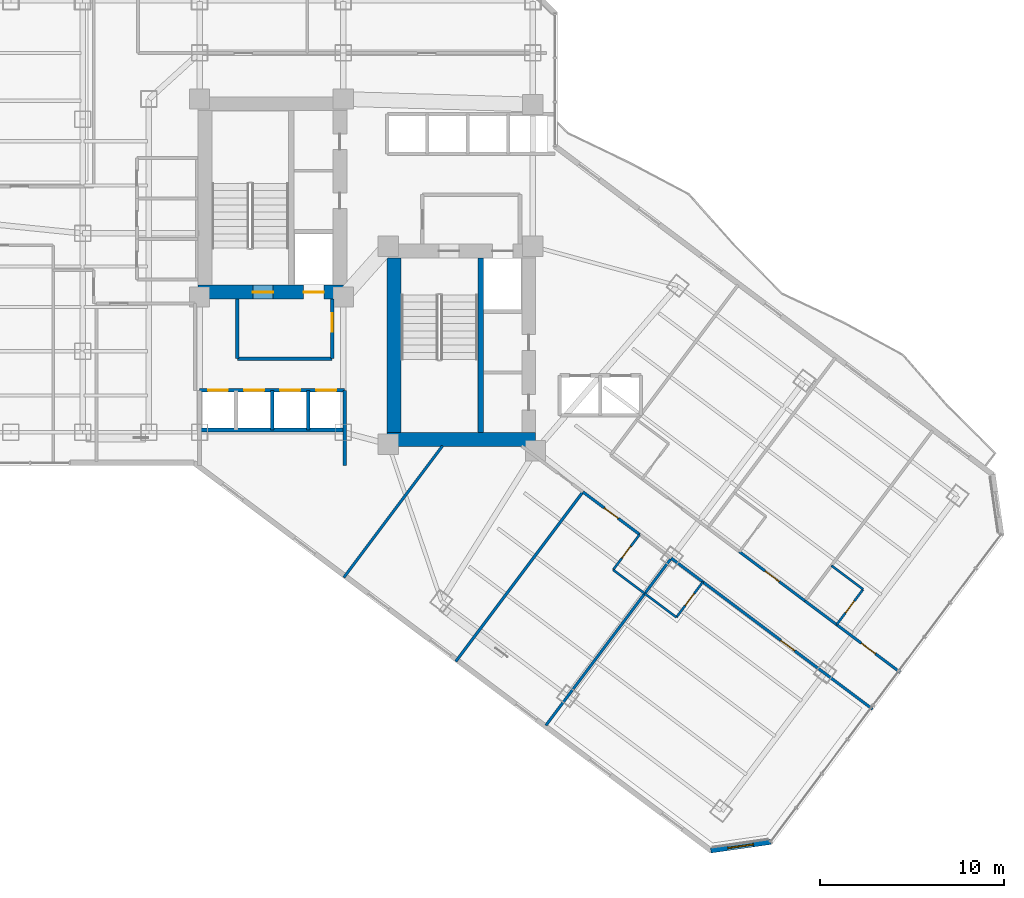
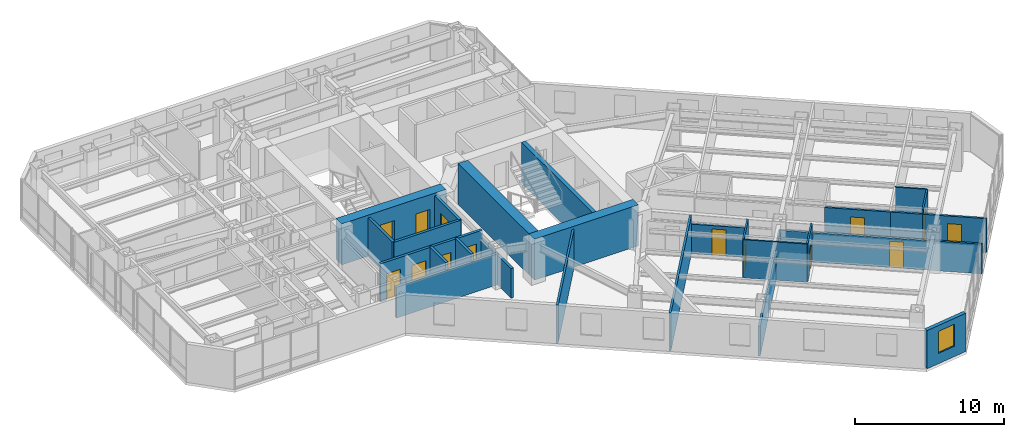
# One storey, part 24 of 31: 28 walls, 14 doors, 1 window, 15 openings.
"""IFC4 building model written with IfcOpenShell, lengths in metres."""

from ifc_helpers import new_model, si_unit, direction, frame, frame_2d, origin, place, context, subcontext, project, spatial, rectangle, extrude, material, layer, layer_set, type_object, element, fill, save


model = new_model("IFC4")

# Units and contexts
model_context = context("Model", 3, precision=1e-05, world=origin(), true_north=direction((0.0, 1.0)))
body_context = subcontext(model_context, "Body", "Model", "MODEL_VIEW")
ifc_project = project(units=[si_unit("LENGTHUNIT", "METRE"), si_unit("AREAUNIT", "SQUARE_METRE"), si_unit("VOLUMEUNIT", "CUBIC_METRE"), si_unit("PLANEANGLEUNIT", "RADIAN"), si_unit("MASSUNIT", "GRAM", prefix="KILO")], contexts=[model_context])

# Site, building, storey
site_placement = place(None, origin())
site = spatial("IfcSite", under=ifc_project, at=site_placement, CompositionType="ELEMENT")
building_placement = place(site_placement, origin())
building = spatial("IfcBuilding", under=site, at=building_placement, Name="Hatsunagi Terrace Concourse", CompositionType="ELEMENT")
storey_placement = place(building_placement, frame((0.0, 0.0, 77.949951171875)))
storey = spatial("IfcBuildingStorey", under=building, at=storey_placement, Name="L20", CompositionType="ELEMENT", Elevation=77.949951171875)

# Wall, openings, doors
ifc_material_1 = material(Name="Concrete Fc60", Category="concrete")
ifc_layer_1 = layer(ifc_material_1, 0.75)
ifc_layer_set_1 = layer_set([ifc_layer_1], Name="CoreShearWall_Fc60_750")
wall_type_1 = type_object("IfcWallType", Name="CoreShearWall_Fc60_750", PredefinedType="SHEAR", material=ifc_layer_set_1)
wall_1_placement = place(storey_placement, frame((25.469970703125, 32.81494140625, 0.0), z_axis=(0.0, 0.0, 1.0), x_axis=(1.0, 0.0, 0.0)))
wall_1 = element("IfcWall", 1, at=wall_1_placement, inside=storey, type_object=wall_type_1, Name="Core A Shear Wall S L20", PredefinedType="SHEAR", context=body_context, shape_type="SweptSolid", body=[
    extrude(rectangle(XDim=8.080078125, YDim=0.75, at=frame_2d((4.0400390625, 0.0))), origin(), (0.0, 0.0, 1.0), 3.35009765625),
])
opening_1_placement = place(wall_1_placement, frame((2.97998046875, 0.0, 0.0)))
opening_1 = element("IfcOpeningElement", 2, at=opening_1_placement, cuts=wall_1, Name="Opening DR-110S", PredefinedType="OPENING", context=body_context, shape_type="SweptSolid", body=[
    extrude(rectangle(XDim=1.10009765625, YDim=2.199951171875, at=frame_2d((0.550048828125, 1.10009765625))), frame((0.0, 0.385009765625, 0.0), z_axis=(0.0, -1.0, 0.0), x_axis=(1.0, 0.0, 0.0)), (0.0, 0.0, 1.0), 0.77001953125),
])
opening_2_placement = place(wall_1_placement, frame((5.72998046875, 0.0, 0.0)))
opening_2 = element("IfcOpeningElement", 3, at=opening_2_placement, cuts=wall_1, Name="Opening LD-01", PredefinedType="OPENING", context=body_context, shape_type="SweptSolid", body=[
    extrude(rectangle(XDim=1.10009765625, YDim=2.14990234375, at=frame_2d((0.550048828125, 1.074951171875))), frame((0.0, 0.385009765625, 0.0), z_axis=(0.0, -1.0, 0.0), x_axis=(1.0, 0.0, 0.0)), (0.0, 0.0, 1.0), 0.77001953125),
])
ifc_material_2 = material(Name="Stainless steel", Category="steel")
door_type_1 = type_object("IfcDoorType", Name="LiftLandingDoor_LD01", OperationType="SLIDING_TO_LEFT", PredefinedType="USERDEFINED", material=ifc_material_2)
door_1_placement = place(opening_2_placement, origin())
door_1 = element("IfcDoor", 4, at=door_1_placement, inside=storey, type_object=door_type_1, Name="Lift landing door FF-01 L20", ObjectType="SLIDING_LANDING_DOOR", OperationType="SLIDING_TO_LEFT", OverallHeight=2.14990234375, OverallWidth=1.10009765625, PredefinedType="USERDEFINED", context=body_context, shape_type="SweptSolid", body=[
    extrude(rectangle(XDim=1.10009765625, YDim=2.14990234375, at=frame_2d((0.550048828125, 1.074951171875))), frame((0.0, 0.02490234375, 0.0), z_axis=(0.0, -1.0, 0.0), x_axis=(1.0, 0.0, 0.0)), (0.0, 0.0, 1.0), 0.050048828125),
])
fill(opening_2, door_1)
ifc_material_3 = material(Name="Painted steel", Category="steel")
door_type_2 = type_object("IfcDoorType", Name="StairFireDoor_EI60_1100", OperationType="NOTDEFINED", PredefinedType="DOOR", material=ifc_material_3)
door_2_placement = place(opening_1_placement, origin())
door_2 = element("IfcDoor", 5, at=door_2_placement, inside=storey, type_object=door_type_2, Name="Stair ST-A Exit Door L20", OperationType="SINGLE_SWING_LEFT", OverallHeight=2.199951171875, OverallWidth=1.10009765625, PredefinedType="DOOR", context=body_context, shape_type="SweptSolid", body=[
    extrude(rectangle(XDim=1.10009765625, YDim=2.199951171875, at=frame_2d((0.550048828125, 1.10009765625))), frame((0.0, 0.02490234375, 0.0), z_axis=(0.0, -1.0, 0.0), x_axis=(1.0, 0.0, 0.0)), (0.0, 0.0, 1.0), 0.050048828125),
])
fill(opening_1, door_2)

# Walls
wall_2_placement = place(storey_placement, frame((35.739990234375, 24.81494140625, 0.0), z_axis=(0.0, 0.0, 1.0), x_axis=(1.0, 0.0, 0.0)))
element("IfcWall", 6, at=wall_2_placement, inside=storey, type_object=wall_type_1, Name="Core B Shear Wall S L20", PredefinedType="SHEAR", context=body_context, shape_type="SweptSolid", body=[
    extrude(rectangle(XDim=8.06005859375, YDim=0.75, at=frame_2d((4.030029296875, 0.0))), origin(), (0.0, 0.0, 1.0), 3.35009765625),
])
wall_3_placement = place(storey_placement, frame((36.114990234375, 25.18994140625, 0.0), z_axis=(0.0, 0.0, 1.0), x_axis=(0.0, 1.0, 0.0)))
element("IfcWall", 7, at=wall_3_placement, inside=storey, type_object=wall_type_1, Name="Core B Shear Wall W L20", PredefinedType="SHEAR", context=body_context, shape_type="SweptSolid", body=[
    extrude(rectangle(XDim=9.47998046875, YDim=0.75, at=frame_2d((4.739990234375, 0.0))), origin(), (0.0, 0.0, 1.0), 3.35009765625),
])
ifc_material_4 = material(Name="Concrete Fc48", Category="concrete")
ifc_layer_2 = layer(ifc_material_4, 0.300048828125)
ifc_layer_set_2 = layer_set([ifc_layer_2], Name="CoreStairDivider_Fc48_300")
wall_type_2 = type_object("IfcWallType", Name="CoreStairDivider_Fc48_300", PredefinedType="SHEAR", material=ifc_layer_set_2)
wall_4_placement = place(storey_placement, frame((40.81005859375, 25.18994140625, 0.0), z_axis=(0.0, 0.0, 1.0), x_axis=(0.0, 1.0, 0.0)))
element("IfcWall", 8, at=wall_4_placement, inside=storey, type_object=wall_type_2, Name="Core B Shear Wall D L20", PredefinedType="SHEAR", context=body_context, shape_type="SweptSolid", body=[
    extrude(rectangle(XDim=9.47998046875, YDim=0.300048828125, at=frame_2d((4.739990234375, 0.0))), origin(), (0.0, 0.0, 1.0), 3.35009765625),
])

# Wall, opening, door
ifc_material_5 = material(Name="Acoustic mineral board", Category="gypsum")
ifc_layer_3 = layer(ifc_material_5, 0.1201171875)
ifc_layer_set_3 = layer_set([ifc_layer_3], Name="PartitionWall_EI30_120")
wall_type_3 = type_object("IfcWallType", Name="PartitionWall_EI30_120", PredefinedType="PARTITIONING", material=ifc_layer_set_3)
wall_5_placement = place(storey_placement, frame((60.14990234375, 14.75, 0.0), z_axis=(0.0, 0.0, 1.0), x_axis=(0.600065100855, 0.79995117022, 0.0)))
wall_5 = element("IfcWall", 9, at=wall_5_placement, inside=storey, type_object=wall_type_3, Name="Interior Partition IW-L20-072", PredefinedType="PARTITIONING", context=body_context, shape_type="SweptSolid", body=[
    extrude(rectangle(XDim=2.400146484375, YDim=0.1201171875, at=frame_2d((1.2001953125, 0.0))), origin(), (0.0, 0.0, 1.0), 3.130126953125),
])
opening_3_placement = place(wall_5_placement, frame((0.800048828125, 0.0, 0.0)))
opening_3 = element("IfcOpeningElement", 10, at=opening_3_placement, cuts=wall_5, Name="Opening DR-080", PredefinedType="OPENING", context=body_context, shape_type="SweptSolid", body=[
    extrude(rectangle(XDim=0.800048828125, YDim=2.06005859375, at=frame_2d((0.39990234375, 1.030029296875))), frame((0.0, 0.070068359375, 0.0), z_axis=(0.0, -1.0, 0.0), x_axis=(1.0, 0.0, 0.0)), (0.0, 0.0, 1.0), 0.14013671875),
])
ifc_material_6 = material(Name="Hardwood timber", Category="wood")
door_type_3 = type_object("IfcDoorType", Name="BathroomDoor_800", OperationType="NOTDEFINED", PredefinedType="DOOR", material=ifc_material_6)
door_3_placement = place(opening_3_placement, origin())
door_3 = element("IfcDoor", 11, at=door_3_placement, inside=storey, type_object=door_type_3, Name="En-Suite Bathroom L20-SENE3 Door", OperationType="SINGLE_SWING_LEFT", OverallHeight=2.06005859375, OverallWidth=0.800048828125, PredefinedType="DOOR", context=body_context, shape_type="SweptSolid", body=[
    extrude(rectangle(XDim=0.800048828125, YDim=2.06005859375, at=frame_2d((0.39990234375, 1.030029296875))), frame((0.0, 0.02490234375, 0.0), z_axis=(0.0, -1.0, 0.0), x_axis=(1.0, 0.0, 0.0)), (0.0, 0.0, 1.0), 0.050048828125),
])
fill(opening_3, door_3)

# Wall
wall_6_placement = place(storey_placement, frame((59.8701171875, 17.9599609375, 0.0), z_axis=(0.0, 0.0, 1.0), x_axis=(0.79998637334, -0.60001816845, 0.0)))
element("IfcWall", 12, at=wall_6_placement, inside=storey, type_object=wall_type_3, Name="Interior Partition IW-L20-073", PredefinedType="PARTITIONING", context=body_context, shape_type="SweptSolid", body=[
    extrude(rectangle(XDim=2.14990234375, YDim=0.1201171875, at=frame_2d((1.074951171875, 0.0))), origin(), (0.0, 0.0, 1.0), 3.130126953125),
])

# Wall, opening, door
wall_7_placement = place(storey_placement, frame((48.010009765625, 17.72998046875, 0.0), z_axis=(0.0, 0.0, 1.0), x_axis=(0.6, 0.8, 0.0)))
wall_7 = element("IfcWall", 13, at=wall_7_placement, inside=storey, type_object=wall_type_3, Name="Interior Partition IW-L20-076", PredefinedType="PARTITIONING", context=body_context, shape_type="SweptSolid", body=[
    extrude(rectangle(XDim=2.39990234375, YDim=0.1201171875, at=frame_2d((1.199951171875, 0.0))), origin(), (0.0, 0.0, 1.0), 3.130126953125),
])
opening_4_placement = place(wall_7_placement, frame((0.800048828125, 0.0, 0.0)))
opening_4 = element("IfcOpeningElement", 14, at=opening_4_placement, cuts=wall_7, Name="Opening DR-080", PredefinedType="OPENING", context=body_context, shape_type="SweptSolid", body=[
    extrude(rectangle(XDim=0.800048828125, YDim=2.06005859375, at=frame_2d((0.39990234375, 1.030029296875))), frame((0.0, 0.070068359375, 0.0), z_axis=(0.0, -1.0, 0.0), x_axis=(1.0, 0.0, 0.0)), (0.0, 0.0, 1.0), 0.14013671875),
])
door_4_placement = place(opening_4_placement, origin())
door_4 = element("IfcDoor", 15, at=door_4_placement, inside=storey, type_object=door_type_3, Name="En-Suite Bathroom L20-SESW1 Door", OperationType="SINGLE_SWING_LEFT", OverallHeight=2.06005859375, OverallWidth=0.800048828125, PredefinedType="DOOR", context=body_context, shape_type="SweptSolid", body=[
    extrude(rectangle(XDim=0.800048828125, YDim=2.06005859375, at=frame_2d((0.39990234375, 1.030029296875))), frame((0.0, 0.02490234375, 0.0), z_axis=(0.0, -1.0, 0.0), x_axis=(1.0, 0.0, 0.0)), (0.0, 0.0, 1.0), 0.050048828125),
])
fill(opening_4, door_4)

# Wall
wall_8_placement = place(storey_placement, frame((48.010009765625, 17.72998046875, 0.0), z_axis=(0.0, 0.0, 1.0), x_axis=(0.79998637334, -0.60001816845, 0.0)))
element("IfcWall", 16, at=wall_8_placement, inside=storey, type_object=wall_type_3, Name="Interior Partition IW-L20-077", PredefinedType="PARTITIONING", context=body_context, shape_type="SweptSolid", body=[
    extrude(rectangle(XDim=2.14990234375, YDim=0.1201171875, at=frame_2d((1.074951171875, 0.0))), origin(), (0.0, 0.0, 1.0), 3.130126953125),
])

# Wall, opening, door
wall_9_placement = place(storey_placement, frame((51.449951171875, 15.14990234375, 0.0), z_axis=(0.0, 0.0, 1.0), x_axis=(0.599951172744, 0.800036618114, 0.0)))
wall_9 = element("IfcWall", 17, at=wall_9_placement, inside=storey, type_object=wall_type_3, Name="Interior Partition IW-L20-081", PredefinedType="PARTITIONING", context=body_context, shape_type="SweptSolid", body=[
    extrude(rectangle(XDim=2.400146484375, YDim=0.1201171875, at=frame_2d((1.2001953125, 0.0))), origin(), (0.0, 0.0, 1.0), 3.130126953125),
])
opening_5_placement = place(wall_9_placement, frame((0.800048828125, 0.0, 0.0)))
opening_5 = element("IfcOpeningElement", 18, at=opening_5_placement, cuts=wall_9, Name="Opening DR-080", PredefinedType="OPENING", context=body_context, shape_type="SweptSolid", body=[
    extrude(rectangle(XDim=0.800048828125, YDim=2.06005859375, at=frame_2d((0.39990234375, 1.030029296875))), frame((0.0, 0.070068359375, 0.0), z_axis=(0.0, -1.0, 0.0), x_axis=(1.0, 0.0, 0.0)), (0.0, 0.0, 1.0), 0.14013671875),
])
door_5_placement = place(opening_5_placement, origin())
door_5 = element("IfcDoor", 19, at=door_5_placement, inside=storey, type_object=door_type_3, Name="En-Suite Bathroom L20-SESW2 Door", OperationType="SINGLE_SWING_RIGHT", OverallHeight=2.06005859375, OverallWidth=0.800048828125, PredefinedType="DOOR", context=body_context, shape_type="SweptSolid", body=[
    extrude(rectangle(XDim=0.800048828125, YDim=2.06005859375, at=frame_2d((0.39990234375, 1.030029296875))), frame((0.0, 0.02490234375, 0.0), z_axis=(0.0, -1.0, 0.0), x_axis=(1.0, 0.0, 0.0)), (0.0, 0.0, 1.0), 0.050048828125),
])
fill(opening_5, door_5)

# Walls
wall_10_placement = place(storey_placement, frame((49.72998046875, 16.43994140625, 0.0), z_axis=(0.0, 0.0, 1.0), x_axis=(0.79998637334, -0.60001816845, 0.0)))
element("IfcWall", 20, at=wall_10_placement, inside=storey, type_object=wall_type_3, Name="Interior Partition IW-L20-082", PredefinedType="PARTITIONING", context=body_context, shape_type="SweptSolid", body=[
    extrude(rectangle(XDim=2.14990234375, YDim=0.1201171875, at=frame_2d((1.074951171875, 0.0))), origin(), (0.0, 0.0, 1.0), 3.130126953125),
])
ifc_material_7 = material(Name="Acoustic mineral board", Category="gypsum")
ifc_layer_4 = layer(ifc_material_7, 0.14990234375)
ifc_layer_set_4 = layer_set([ifc_layer_4], Name="PartitionWall_EI60_150")
wall_type_4 = type_object("IfcWallType", Name="PartitionWall_EI60_150", PredefinedType="PARTITIONING", material=ifc_layer_set_4)
wall_11_placement = place(storey_placement, frame((33.384033203125, 17.31201171875, 0.0), z_axis=(0.0, 0.0, 1.0), x_axis=(0.600008743659, 0.799993442181, 0.0)))
element("IfcWall", 21, at=wall_11_placement, inside=storey, type_object=wall_type_4, Name="Interior Partition IW-L20-042", PredefinedType="PARTITIONING", context=body_context, shape_type="SweptSolid", body=[
    extrude(rectangle(XDim=8.93505859375, YDim=0.14990234375, at=frame_2d((4.467529296875, 0.0))), origin(), (0.0, 0.0, 1.0), 3.130126953125),
])
wall_12_placement = place(storey_placement, frame((39.464111328125, 12.751953125, 0.0), z_axis=(0.0, 0.0, 1.0), x_axis=(0.6, 0.8, 0.0)))
element("IfcWall", 22, at=wall_12_placement, inside=storey, type_object=wall_type_4, Name="Interior Partition IW-L20-043", PredefinedType="PARTITIONING", context=body_context, shape_type="SweptSolid", body=[
    extrude(rectangle(XDim=11.510009765625, YDim=0.14990234375, at=frame_2d((5.7548828125, 0.0))), origin(), (0.0, 0.0, 1.0), 3.130126953125),
])

# Wall, opening, door
wall_13_placement = place(storey_placement, frame((54.8701171875, 18.7099609375, 0.0), z_axis=(0.0, 0.0, 1.0), x_axis=(0.799993416095, -0.600008778439, 0.0)))
wall_13 = element("IfcWall", 23, at=wall_13_placement, inside=storey, type_object=wall_type_4, Name="Interior Partition IW-L20-066", PredefinedType="PARTITIONING", context=body_context, shape_type="SweptSolid", body=[
    extrude(rectangle(XDim=4.44970703125, YDim=0.14990234375, at=frame_2d((2.224853515625, 0.0))), origin(), (0.0, 0.0, 1.0), 2.775146484375),
])
opening_6_placement = place(wall_13_placement, frame((1.75, 0.0, 0.0)))
opening_6 = element("IfcOpeningElement", 24, at=opening_6_placement, cuts=wall_13, Name="Opening DR-095", PredefinedType="OPENING", context=body_context, shape_type="SweptSolid", body=[
    extrude(rectangle(XDim=0.949951171875, YDim=2.14990234375, at=frame_2d((0.47509765625, 1.074951171875))), frame((0.0, 0.0849609375, 0.0), z_axis=(0.0, -1.0, 0.0), x_axis=(1.0, 0.0, 0.0)), (0.0, 0.0, 1.0), 0.169921875),
])
ifc_material_8 = material(Name="Hardwood timber", Category="wood")
door_type_4 = type_object("IfcDoorType", Name="InteriorSuiteDoor_EI30_950", OperationType="NOTDEFINED", PredefinedType="DOOR", material=ifc_material_8)
door_6_placement = place(opening_6_placement, origin())
door_6 = element("IfcDoor", 25, at=door_6_placement, inside=storey, type_object=door_type_4, Name="Hotel Guest Room L20-SENE2 Door", OperationType="SINGLE_SWING_LEFT", OverallHeight=2.14990234375, OverallWidth=0.949951171875, PredefinedType="DOOR", context=body_context, shape_type="SweptSolid", body=[
    extrude(rectangle(XDim=0.949951171875, YDim=2.14990234375, at=frame_2d((0.47509765625, 1.074951171875))), frame((0.0, 0.02490234375, 0.0), z_axis=(0.0, -1.0, 0.0), x_axis=(1.0, 0.0, 0.0)), (0.0, 0.0, 1.0), 0.050048828125),
])
fill(opening_6, door_6)

# Wall
wall_14_placement = place(storey_placement, frame((58.429931640625, 16.0400390625, 0.0), z_axis=(0.0, 0.0, 1.0), x_axis=(0.79998637334, -0.60001816845, 0.0)))
element("IfcWall", 26, at=wall_14_placement, inside=storey, type_object=wall_type_4, Name="Interior Partition IW-L20-070", PredefinedType="PARTITIONING", context=body_context, shape_type="SweptSolid", body=[
    extrude(rectangle(XDim=2.14990234375, YDim=0.14990234375, at=frame_2d((1.074951171875, 0.0))), origin(), (0.0, 0.0, 1.0), 2.775146484375),
])

# Wall, opening, door
wall_15_placement = place(storey_placement, frame((60.14990234375, 14.75, 0.0), z_axis=(0.0, 0.0, 1.0), x_axis=(0.800006797429, -0.599990936654, 0.0)))
wall_15 = element("IfcWall", 27, at=wall_15_placement, inside=storey, type_object=wall_type_4, Name="Interior Partition IW-L20-071", PredefinedType="PARTITIONING", context=body_context, shape_type="SweptSolid", body=[
    extrude(rectangle(XDim=4.31005859375, YDim=0.14990234375, at=frame_2d((2.155029296875, 0.0))), origin(), (0.0, 0.0, 1.0), 2.775146484375),
])
opening_7_placement = place(wall_15_placement, frame((1.679931640625, 0.0, 0.0)))
opening_7 = element("IfcOpeningElement", 28, at=opening_7_placement, cuts=wall_15, Name="Opening DR-095", PredefinedType="OPENING", context=body_context, shape_type="SweptSolid", body=[
    extrude(rectangle(XDim=0.949951171875, YDim=2.14990234375, at=frame_2d((0.47509765625, 1.074951171875))), frame((0.0, 0.0849609375, 0.0), z_axis=(0.0, -1.0, 0.0), x_axis=(1.0, 0.0, 0.0)), (0.0, 0.0, 1.0), 0.169921875),
])
door_7_placement = place(opening_7_placement, origin())
door_7 = element("IfcDoor", 29, at=door_7_placement, inside=storey, type_object=door_type_4, Name="Hotel Guest Room L20-SENE3 Door", OperationType="SINGLE_SWING_LEFT", OverallHeight=2.14990234375, OverallWidth=0.949951171875, PredefinedType="DOOR", context=body_context, shape_type="SweptSolid", body=[
    extrude(rectangle(XDim=0.949951171875, YDim=2.14990234375, at=frame_2d((0.47509765625, 1.074951171875))), frame((0.0, 0.02490234375, 0.0), z_axis=(0.0, -1.0, 0.0), x_axis=(1.0, 0.0, 0.0)), (0.0, 0.0, 1.0), 0.050048828125),
])
fill(opening_7, door_7)

wall_16_placement = place(storey_placement, frame((46.3701171875, 21.9599609375, 0.0), z_axis=(0.0, 0.0, 1.0), x_axis=(0.799977170108, -0.600030438649, 0.0)))
wall_16 = element("IfcWall", 30, at=wall_16_placement, inside=storey, type_object=wall_type_4, Name="Interior Partition IW-L20-074", PredefinedType="PARTITIONING", context=body_context, shape_type="SweptSolid", body=[
    extrude(rectangle(XDim=3.849853515625, YDim=0.14990234375, at=frame_2d((1.9248046875, 0.0))), origin(), (0.0, 0.0, 1.0), 2.425048828125),
])
opening_8_placement = place(wall_16_placement, frame((1.449951171875, 0.0, 0.0)))
opening_8 = element("IfcOpeningElement", 31, at=opening_8_placement, cuts=wall_16, Name="Opening DR-095", PredefinedType="OPENING", context=body_context, shape_type="SweptSolid", body=[
    extrude(rectangle(XDim=0.949951171875, YDim=2.14990234375, at=frame_2d((0.47509765625, 1.074951171875))), frame((0.0, 0.0849609375, 0.0), z_axis=(0.0, -1.0, 0.0), x_axis=(1.0, 0.0, 0.0)), (0.0, 0.0, 1.0), 0.169921875),
])
door_8_placement = place(opening_8_placement, origin())
door_8 = element("IfcDoor", 32, at=door_8_placement, inside=storey, type_object=door_type_4, Name="Hotel Guest Room L20-SESW1 Door", OperationType="SINGLE_SWING_RIGHT", OverallHeight=2.14990234375, OverallWidth=0.949951171875, PredefinedType="DOOR", context=body_context, shape_type="SweptSolid", body=[
    extrude(rectangle(XDim=0.949951171875, YDim=2.14990234375, at=frame_2d((0.47509765625, 1.074951171875))), frame((0.0, 0.02490234375, 0.0), z_axis=(0.0, -1.0, 0.0), x_axis=(1.0, 0.0, 0.0)), (0.0, 0.0, 1.0), 0.050048828125),
])
fill(opening_8, door_8)

# Walls
wall_17_placement = place(storey_placement, frame((44.360107421875, 9.280029296875, 0.0), z_axis=(0.0, 0.0, 1.0), x_axis=(0.599986233332, 0.800010324816, 0.0)))
element("IfcWall", 33, at=wall_17_placement, inside=storey, type_object=wall_type_4, Name="Interior Partition IW-L20-078", PredefinedType="PARTITIONING", context=body_context, shape_type="SweptSolid", body=[
    extrude(rectangle(XDim=11.349853515625, YDim=0.14990234375, at=frame_2d((5.6748046875, 0.0))), origin(), (0.0, 0.0, 1.0), 2.425048828125),
])
wall_18_placement = place(storey_placement, frame((51.169921875, 18.360107421875, 0.0), z_axis=(0.0, 0.0, 1.0), x_axis=(0.79998637334, -0.60001816845, 0.0)))
element("IfcWall", 34, at=wall_18_placement, inside=storey, type_object=wall_type_4, Name="Interior Partition IW-L20-079", PredefinedType="PARTITIONING", context=body_context, shape_type="SweptSolid", body=[
    extrude(rectangle(XDim=2.14990234375, YDim=0.14990234375, at=frame_2d((1.074951171875, 0.0))), origin(), (0.0, 0.0, 1.0), 2.425048828125),
])

# Wall, opening, door
wall_19_placement = place(storey_placement, frame((52.889892578125, 17.070068359375, 0.0), z_axis=(0.0, 0.0, 1.0), x_axis=(0.8, -0.6, 0.0)))
wall_19 = element("IfcWall", 35, at=wall_19_placement, inside=storey, type_object=wall_type_4, Name="Interior Partition IW-L20-080", PredefinedType="PARTITIONING", context=body_context, shape_type="SweptSolid", body=[
    extrude(rectangle(XDim=11.510009765625, YDim=0.14990234375, at=frame_2d((5.7548828125, 0.0))), origin(), (0.0, 0.0, 1.0), 2.425048828125),
])
opening_9_placement = place(wall_19_placement, frame((5.280029296875, 0.0, 0.0)))
opening_9 = element("IfcOpeningElement", 36, at=opening_9_placement, cuts=wall_19, Name="Opening DR-095", PredefinedType="OPENING", context=body_context, shape_type="SweptSolid", body=[
    extrude(rectangle(XDim=0.949951171875, YDim=2.14990234375, at=frame_2d((0.47509765625, 1.074951171875))), frame((0.0, 0.0849609375, 0.0), z_axis=(0.0, -1.0, 0.0), x_axis=(1.0, 0.0, 0.0)), (0.0, 0.0, 1.0), 0.169921875),
])
door_9_placement = place(opening_9_placement, origin())
door_9 = element("IfcDoor", 37, at=door_9_placement, inside=storey, type_object=door_type_4, Name="Corner Hotel Suite L20-SESW2 Door", OperationType="SINGLE_SWING_RIGHT", OverallHeight=2.14990234375, OverallWidth=0.949951171875, PredefinedType="DOOR", context=body_context, shape_type="SweptSolid", body=[
    extrude(rectangle(XDim=0.949951171875, YDim=2.14990234375, at=frame_2d((0.47509765625, 1.074951171875))), frame((0.0, 0.02490234375, 0.0), z_axis=(0.0, -1.0, 0.0), x_axis=(1.0, 0.0, 0.0)), (0.0, 0.0, 1.0), 0.050048828125),
])
fill(opening_9, door_9)

# Walls
ifc_material_9 = material(Name="Acoustic mineral board", Category="gypsum")
ifc_layer_5 = layer(ifc_material_9, 0.199951171875)
ifc_layer_set_5 = layer_set([ifc_layer_5], Name="ShaftWall_EI120_200")
wall_type_5 = type_object("IfcWallType", Name="ShaftWall_EI120_200", PredefinedType="STANDARD", material=ifc_layer_set_5)
wall_20_placement = place(storey_placement, frame((27.60009765625, 29.199951171875, 0.0), z_axis=(0.0, 0.0, 1.0), x_axis=(1.0, 0.0, 0.0)))
element("IfcWall", 38, at=wall_20_placement, inside=storey, type_object=wall_type_5, Name="Interior Partition IW-L20-005", PredefinedType="STANDARD", context=body_context, shape_type="SweptSolid", body=[
    extrude(rectangle(XDim=5.14990234375, YDim=0.199951171875, at=frame_2d((2.574951171875, 0.0))), origin(), (0.0, 0.0, 1.0), 3.130126953125),
])
wall_21_placement = place(storey_placement, frame((27.60009765625, 29.199951171875, 0.0), z_axis=(0.0, 0.0, 1.0), x_axis=(0.0, 1.0, 0.0)))
element("IfcWall", 39, at=wall_21_placement, inside=storey, type_object=wall_type_5, Name="Interior Partition IW-L20-006", PredefinedType="STANDARD", context=body_context, shape_type="SweptSolid", body=[
    extrude(rectangle(XDim=3.239990234375, YDim=0.199951171875, at=frame_2d((1.6201171875, 0.0))), origin(), (0.0, 0.0, 1.0), 3.130126953125),
])

# Wall, opening, door
wall_22_placement = place(storey_placement, frame((32.75, 29.199951171875, 0.0), z_axis=(0.0, 0.0, 1.0), x_axis=(0.0, 1.0, 0.0)))
wall_22 = element("IfcWall", 40, at=wall_22_placement, inside=storey, type_object=wall_type_5, Name="Interior Partition IW-L20-007", PredefinedType="STANDARD", context=body_context, shape_type="SweptSolid", body=[
    extrude(rectangle(XDim=3.239990234375, YDim=0.199951171875, at=frame_2d((1.6201171875, 0.0))), origin(), (0.0, 0.0, 1.0), 3.130126953125),
])
opening_10_placement = place(wall_22_placement, frame((1.449951171875, 0.0, 0.0)))
opening_10 = element("IfcOpeningElement", 41, at=opening_10_placement, cuts=wall_22, Name="Opening DR-100F", PredefinedType="OPENING", context=body_context, shape_type="SweptSolid", body=[
    extrude(rectangle(XDim=1.0, YDim=2.199951171875, at=frame_2d((0.5, 1.10009765625))), frame((0.0, 0.10986328125, 0.0), z_axis=(0.0, -1.0, 0.0), x_axis=(1.0, 0.0, 0.0)), (0.0, 0.0, 1.0), 0.219970703125),
])
ifc_material_10 = material(Name="Painted steel", Category="steel")
door_type_5 = type_object("IfcDoorType", Name="FireDoor_EI60_1000", OperationType="NOTDEFINED", PredefinedType="DOOR", material=ifc_material_10)
door_10_placement = place(opening_10_placement, origin())
door_10 = element("IfcDoor", 42, at=door_10_placement, inside=storey, type_object=door_type_5, Name="Firefighting Lobby A Door L20", OperationType="SINGLE_SWING_RIGHT", OverallHeight=2.199951171875, OverallWidth=1.0, PredefinedType="DOOR", context=body_context, shape_type="SweptSolid", body=[
    extrude(rectangle(XDim=1.0, YDim=2.199951171875, at=frame_2d((0.5, 1.10009765625))), frame((0.0, 0.02490234375, 0.0), z_axis=(0.0, -1.0, 0.0), x_axis=(1.0, 0.0, 0.0)), (0.0, 0.0, 1.0), 0.050048828125),
])
fill(opening_10, door_10)

# Walls
wall_23_placement = place(storey_placement, frame((33.429931640625, 23.39990234375, 0.0), z_axis=(0.0, 0.0, 1.0), x_axis=(0.0, 1.0, 0.0)))
element("IfcWall", 43, at=wall_23_placement, inside=storey, type_object=wall_type_5, Name="Interior Partition IW-L20-012", PredefinedType="STANDARD", context=body_context, shape_type="SweptSolid", body=[
    extrude(rectangle(XDim=4.080078125, YDim=0.199951171875, at=frame_2d((2.0400390625, 0.0))), origin(), (0.0, 0.0, 1.0), 2.425048828125),
])
wall_24_placement = place(storey_placement, frame((25.550048828125, 25.320068359375, 0.0), z_axis=(0.0, 0.0, 1.0), x_axis=(1.0, 0.0, 0.0)))
element("IfcWall", 44, at=wall_24_placement, inside=storey, type_object=wall_type_5, Name="Interior Partition IW-L20-013", PredefinedType="STANDARD", context=body_context, shape_type="SweptSolid", body=[
    extrude(rectangle(XDim=7.8798828125, YDim=0.199951171875, at=frame_2d((3.93994140625, 0.0))), origin(), (0.0, 0.0, 1.0), 2.525146484375),
])
for number, where, z_axis, x_axis, name in (
    (45, (29.489990234375, 25.320068359375, 0.0), (0.0, 0.0, 1.0), (0.0, 1.0, 0.0), "Interior Partition IW-L20-015"),
    (46, (31.449951171875, 25.320068359375, 0.0), (0.0, 0.0, 1.0), (0.0, 1.0, 0.0), "Interior Partition IW-L20-016"),
):
    element("IfcWall", number, at=place(storey_placement, frame(where, z_axis=z_axis, x_axis=x_axis)), inside=storey, type_object=wall_type_5, Name=name, PredefinedType="STANDARD", context=body_context, shape_type="SweptSolid", body=[
        extrude(rectangle(XDim=2.159912109375, YDim=0.199951171875, at=frame_2d((1.080078125, 0.0))), origin(), (0.0, 0.0, 1.0), 3.130126953125),
    ])

# Wall, openings, doors
wall_25_placement = place(storey_placement, frame((25.550048828125, 27.47998046875, 0.0), z_axis=(0.0, 0.0, 1.0), x_axis=(1.0, 0.0, 0.0)))
wall_25 = element("IfcWall", 47, at=wall_25_placement, inside=storey, type_object=wall_type_5, Name="Interior Partition IW-L20-017", PredefinedType="STANDARD", context=body_context, shape_type="SweptSolid", body=[
    extrude(rectangle(XDim=7.8798828125, YDim=0.199951171875, at=frame_2d((3.93994140625, 0.0))), origin(), (0.0, 0.0, 1.0), 3.130126953125),
])
opening_11_placement = place(wall_25_placement, frame((0.4599609375, 0.0, 0.0)))
opening_11 = element("IfcOpeningElement", 48, at=opening_11_placement, cuts=wall_25, Name="Opening LD-03", PredefinedType="OPENING", context=body_context, shape_type="SweptSolid", body=[
    extrude(rectangle(XDim=1.080078125, YDim=2.14990234375, at=frame_2d((0.5400390625, 1.074951171875))), frame((0.0, 0.10986328125, 0.0), z_axis=(0.0, -1.0, 0.0), x_axis=(1.0, 0.0, 0.0)), (0.0, 0.0, 1.0), 0.219970703125),
])
opening_12_placement = place(wall_25_placement, frame((2.419921875, 0.0, 0.0)))
opening_12 = element("IfcOpeningElement", 49, at=opening_12_placement, cuts=wall_25, Name="Opening LD-03", PredefinedType="OPENING", context=body_context, shape_type="SweptSolid", body=[
    extrude(rectangle(XDim=1.080078125, YDim=2.14990234375, at=frame_2d((0.5400390625, 1.074951171875))), frame((0.0, 0.10986328125, 0.0), z_axis=(0.0, -1.0, 0.0), x_axis=(1.0, 0.0, 0.0)), (0.0, 0.0, 1.0), 0.219970703125),
])
opening_13_placement = place(wall_25_placement, frame((4.3798828125, 0.0, 0.0)))
opening_13 = element("IfcOpeningElement", 50, at=opening_13_placement, cuts=wall_25, Name="Opening LD-03", PredefinedType="OPENING", context=body_context, shape_type="SweptSolid", body=[
    extrude(rectangle(XDim=1.080078125, YDim=2.14990234375, at=frame_2d((0.5400390625, 1.074951171875))), frame((0.0, 0.10986328125, 0.0), z_axis=(0.0, -1.0, 0.0), x_axis=(1.0, 0.0, 0.0)), (0.0, 0.0, 1.0), 0.219970703125),
])
opening_14_placement = place(wall_25_placement, frame((6.340087890625, 0.0, 0.0)))
opening_14 = element("IfcOpeningElement", 51, at=opening_14_placement, cuts=wall_25, Name="Opening LD-03", PredefinedType="OPENING", context=body_context, shape_type="SweptSolid", body=[
    extrude(rectangle(XDim=1.080078125, YDim=2.14990234375, at=frame_2d((0.5400390625, 1.074951171875))), frame((0.0, 0.10986328125, 0.0), z_axis=(0.0, -1.0, 0.0), x_axis=(1.0, 0.0, 0.0)), (0.0, 0.0, 1.0), 0.219970703125),
])
ifc_material_11 = material(Name="Stainless steel", Category="steel")
door_type_6 = type_object("IfcDoorType", Name="LiftLandingDoor_LD03", OperationType="SLIDING_TO_LEFT", PredefinedType="USERDEFINED", material=ifc_material_11)
door_11_placement = place(opening_11_placement, origin())
door_11 = element("IfcDoor", 52, at=door_11_placement, inside=storey, type_object=door_type_6, Name="Lift landing door PL-01 L20", ObjectType="SLIDING_LANDING_DOOR", OperationType="SLIDING_TO_LEFT", OverallHeight=2.14990234375, OverallWidth=1.080078125, PredefinedType="USERDEFINED", context=body_context, shape_type="SweptSolid", body=[
    extrude(rectangle(XDim=1.080078125, YDim=2.14990234375, at=frame_2d((0.5400390625, 1.074951171875))), frame((0.0, 0.02490234375, 0.0), z_axis=(0.0, -1.0, 0.0), x_axis=(1.0, 0.0, 0.0)), (0.0, 0.0, 1.0), 0.050048828125),
])
fill(opening_11, door_11)
door_12_placement = place(opening_12_placement, origin())
door_12 = element("IfcDoor", 53, at=door_12_placement, inside=storey, type_object=door_type_6, Name="Lift landing door PL-02 L20", ObjectType="SLIDING_LANDING_DOOR", OperationType="SLIDING_TO_LEFT", OverallHeight=2.14990234375, OverallWidth=1.080078125, PredefinedType="USERDEFINED", context=body_context, shape_type="SweptSolid", body=[
    extrude(rectangle(XDim=1.080078125, YDim=2.14990234375, at=frame_2d((0.5400390625, 1.074951171875))), frame((0.0, 0.02490234375, 0.0), z_axis=(0.0, -1.0, 0.0), x_axis=(1.0, 0.0, 0.0)), (0.0, 0.0, 1.0), 0.050048828125),
])
fill(opening_12, door_12)
door_13_placement = place(opening_13_placement, origin())
door_13 = element("IfcDoor", 54, at=door_13_placement, inside=storey, type_object=door_type_6, Name="Lift landing door PL-03 L20", ObjectType="SLIDING_LANDING_DOOR", OperationType="SLIDING_TO_LEFT", OverallHeight=2.14990234375, OverallWidth=1.080078125, PredefinedType="USERDEFINED", context=body_context, shape_type="SweptSolid", body=[
    extrude(rectangle(XDim=1.080078125, YDim=2.14990234375, at=frame_2d((0.5400390625, 1.074951171875))), frame((0.0, 0.02490234375, 0.0), z_axis=(0.0, -1.0, 0.0), x_axis=(1.0, 0.0, 0.0)), (0.0, 0.0, 1.0), 0.050048828125),
])
fill(opening_13, door_13)
door_14_placement = place(opening_14_placement, origin())
door_14 = element("IfcDoor", 55, at=door_14_placement, inside=storey, type_object=door_type_6, Name="Lift landing door PL-04 L20", ObjectType="SLIDING_LANDING_DOOR", OperationType="SLIDING_TO_LEFT", OverallHeight=2.14990234375, OverallWidth=1.080078125, PredefinedType="USERDEFINED", context=body_context, shape_type="SweptSolid", body=[
    extrude(rectangle(XDim=1.080078125, YDim=2.14990234375, at=frame_2d((0.5400390625, 1.074951171875))), frame((0.0, 0.02490234375, 0.0), z_axis=(0.0, -1.0, 0.0), x_axis=(1.0, 0.0, 0.0)), (0.0, 0.0, 1.0), 0.050048828125),
])
fill(opening_14, door_14)

# Wall, opening, window
ifc_material_12 = material(Name="Autoclaved Lightweight Concrete and Terracotta Cladding", Category="masonry")
ifc_layer_6 = layer(ifc_material_12, 0.280029296875)
ifc_layer_set_6 = layer_set([ifc_layer_6], Name="TerracottaSpandrelWall_280")
wall_type_6 = type_object("IfcWallType", Name="TerracottaSpandrelWall_280", PredefinedType="STANDARD", material=ifc_layer_set_6)
wall_26_placement = place(storey_placement, frame((56.56298828125, 2.949951171875, 0.0), z_axis=(0.0, 0.0, 1.0), x_axis=(-0.989977778067, -0.141223223777, 0.0)))
wall_26 = element("IfcWall", 56, at=wall_26_placement, inside=storey, type_object=wall_type_6, Name="Exterior Spandrel Wall EW-L20-04", PredefinedType="STANDARD", context=body_context, shape_type="SweptSolid", body=[
    extrude(rectangle(XDim=3.27783203125, YDim=0.280029296875, at=frame_2d((1.638916015625, 0.0))), origin(), (0.0, 0.0, 1.0), 3.130126953125),
])
opening_15_placement = place(wall_26_placement, frame((0.93896484375, 0.0, 0.85009765625)))
opening_15 = element("IfcOpeningElement", 57, at=opening_15_placement, cuts=wall_26, Name="Opening WIN-02", PredefinedType="OPENING", context=body_context, shape_type="SweptSolid", body=[
    extrude(rectangle(XDim=1.39990234375, YDim=1.800048828125, at=frame_2d((0.699951171875, 0.89990234375))), frame((0.0, 0.14990234375, 0.0), z_axis=(0.0, -1.0, 0.0), x_axis=(1.0, 0.0, 0.0)), (0.0, 0.0, 1.0), 0.300048828125),
])
ifc_material_13 = material(Name="Thermally Broken Aluminium and Low-E Triple Glazing", Category="aluminium")
window_type = type_object("IfcWindowType", Name="HotelOperableVentWindow_1400x1800", PartitioningType="DOUBLE_PANEL_VERTICAL", PredefinedType="WINDOW", material=ifc_material_13)
window_placement = place(opening_15_placement, origin())
window = element("IfcWindow", 58, at=window_placement, inside=storey, type_object=window_type, Name="Hotel Guestroom Window L20-04-1", OverallHeight=1.800048828125, OverallWidth=1.39990234375, PartitioningType="SINGLE_PANEL", PredefinedType="WINDOW", context=body_context, shape_type="SweptSolid", body=[
    extrude(rectangle(XDim=1.39990234375, YDim=1.800048828125, at=frame_2d((0.699951171875, 0.89990234375))), frame((0.0, 0.030029296875, 0.0), z_axis=(0.0, -1.0, 0.0), x_axis=(1.0, 0.0, 0.0)), (0.0, 0.0, 1.0), 0.06005859375),
])
fill(opening_15, window)

save(model, "model.ifc")
